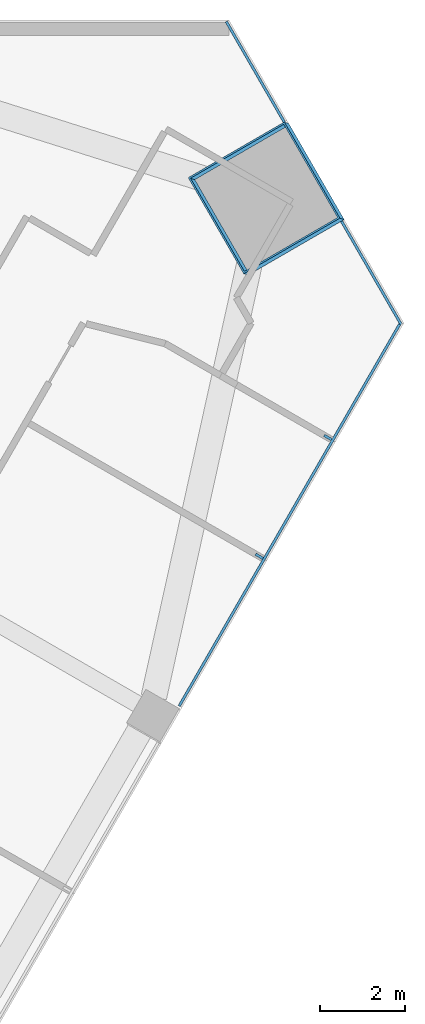
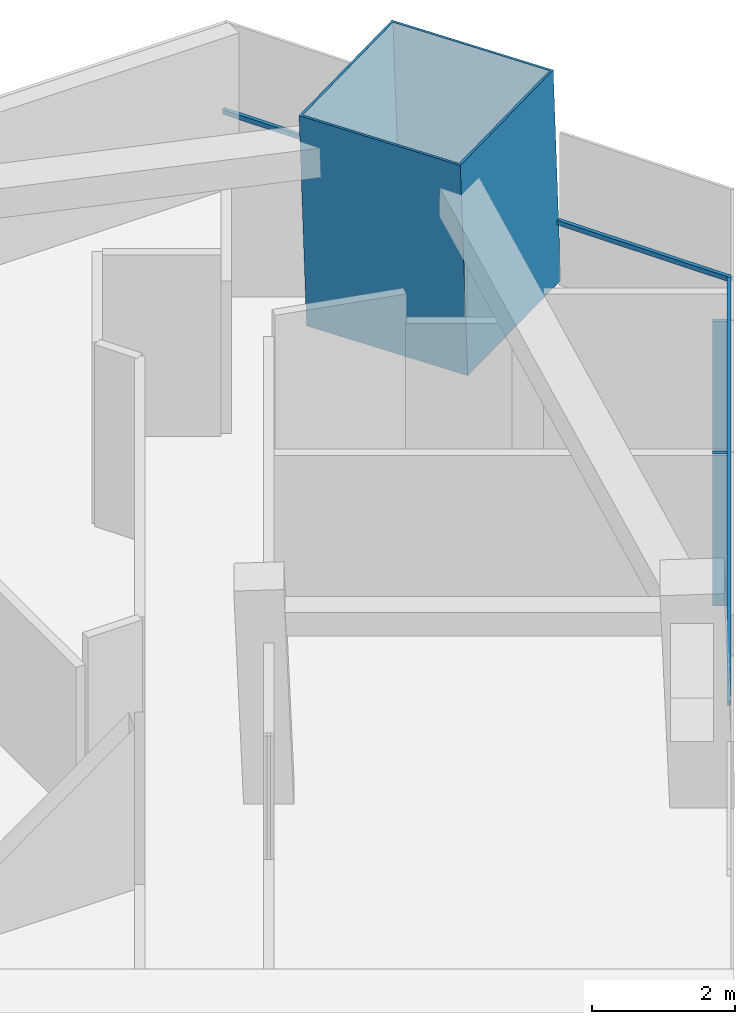
# One storey, part 7 of 14: 6 members, 2 elements without a shape of their own.
"""IFC4 building model written with IfcOpenShell, lengths in metres."""

from ifc_helpers import new_model, si_unit, direction, frame, origin, origin_2d, place, context, subcontext, project, spatial, rectangle, hollow_rectangle, extrude, material, layer, layer_set, material_profile, profile_set, type_object, element, aggregate, save


model = new_model("IFC4")

# Units and contexts
model_context = context("Model", 3, precision=1e-05, world=origin(), true_north=direction((0.0, 1.0)))
body_context = subcontext(model_context, "Body", "Model", "MODEL_VIEW")
ifc_project = project(units=[si_unit("LENGTHUNIT", "METRE"), si_unit("AREAUNIT", "SQUARE_METRE"), si_unit("VOLUMEUNIT", "CUBIC_METRE"), si_unit("PLANEANGLEUNIT", "RADIAN"), si_unit("MASSUNIT", "GRAM", prefix="KILO")], contexts=[model_context])

# Site, building, storey
site_placement = place(None, origin())
site = spatial("IfcSite", under=ifc_project, at=site_placement, CompositionType="ELEMENT")
building_placement = place(site_placement, origin())
building = spatial("IfcBuilding", under=site, at=building_placement, Name="Altiplano Prism Tower", CompositionType="ELEMENT")
storey_placement = place(building_placement, frame((0.0, 0.0, 111.60009765625)))
storey = spatial("IfcBuildingStorey", under=building, at=storey_placement, Name="L28", CompositionType="ELEMENT", Elevation=111.60009765625)

# Curtain wall, members
ifc_material_1 = material(Name="Aluminium and glass", Category="aluminium")
ifc_layer = layer(ifc_material_1, 0.303955078125)
ifc_layer_set = layer_set([ifc_layer], Name="Aluminium and glass")
curtain_wall_type = type_object("IfcCurtainWallType", Name="CW2 lounge-band unitised glazing", PredefinedType="NOTDEFINED", material=ifc_layer_set)
curtain_wall_1_placement = place(storey_placement, origin())
curtain_wall_1 = element("IfcCurtainWall", 1, at=curtain_wall_1_placement, inside=storey, type_object=curtain_wall_type, Name="CW2 curtain wall south-east face L28", PredefinedType="NOTDEFINED")
ifc_material_2 = material(Name="Aluminium", Category="aluminium")
ifc_material_profile_1 = material_profile(ifc_material_2, rectangle(XDim=0.199951171875, YDim=0.06005859375, at=origin_2d()), Name="CW2 mullion 60 x 200")
ifc_profile_set_1 = profile_set([ifc_material_profile_1], Name="Aluminium")
member_type_1 = type_object("IfcMemberType", Name="CW2 mullion 60 x 200", PredefinedType="MULLION", material=ifc_profile_set_1)
member_1_placement = place(storey_placement, frame((110.130126953125, 92.4462890625, 0.0), z_axis=(0.0, 0.0, 1.0), x_axis=(-0.866025408698, 0.49999999149, 0.0)))
member_1 = element("IfcMember", 2, at=member_1_placement, type_object=member_type_1, Name="CW2 mullion", PredefinedType="MULLION", context=body_context, shape_type="SweptSolid", body=[
    extrude(rectangle(XDim=0.199951171875, YDim=0.06005859375, at=origin_2d()), origin(), (0.0, 0.0, 1.0), 2.599853515625),
])
member_2_placement = place(storey_placement, frame((111.735595703125, 95.227294921875, 0.0), z_axis=(0.0, 0.0, 1.0), x_axis=(-0.866025408698, 0.49999999149, 0.0)))
member_2 = element("IfcMember", 3, at=member_2_placement, type_object=member_type_1, Name="CW2 mullion", PredefinedType="MULLION", context=body_context, shape_type="SweptSolid", body=[
    extrude(rectangle(XDim=0.199951171875, YDim=0.06005859375, at=origin_2d()), origin(), (0.0, 0.0, 1.0), 2.599853515625),
])
ifc_material_profile_2 = material_profile(ifc_material_2, rectangle(XDim=0.06005859375, YDim=0.080078125, at=origin_2d()), Name="CW2 transom 80 x 60")
ifc_profile_set_2 = profile_set([ifc_material_profile_2], Name="Aluminium")
member_type_2 = type_object("IfcMemberType", Name="CW2 transom 80 x 60", PredefinedType="USERDEFINED", material=ifc_profile_set_2)
member_3_placement = place(storey_placement, frame((108.25732421875, 88.942626953125, 1.099853515625), z_axis=(0.50000713497, 0.866021284369, 0.0), x_axis=(-0.866021284369, 0.50000713497, 0.0)))
member_3 = element("IfcMember", 4, at=member_3_placement, type_object=member_type_2, Name="CW2 transom", ObjectType="TRANSOM", PredefinedType="USERDEFINED", context=body_context, shape_type="SweptSolid", body=[
    extrude(rectangle(XDim=0.06005859375, YDim=0.080078125, at=origin_2d()), origin(), (0.0, 0.0, 1.0), 10.392822265625),
])
aggregate(curtain_wall_1, [member_1, member_2, member_3])

curtain_wall_2_placement = place(storey_placement, origin())
curtain_wall_2 = element("IfcCurtainWall", 5, at=curtain_wall_2_placement, inside=storey, type_object=curtain_wall_type, Name="CW2 curtain wall north-east chamfer L28", PredefinedType="NOTDEFINED")
member_4_placement = place(storey_placement, frame((113.453857421875, 97.869140625, 1.099853515625), z_axis=(-0.499961839574, 0.866047434595, 0.0), x_axis=(-0.866047434595, -0.499961839574, 0.0)))
member_4 = element("IfcMember", 6, at=member_4_placement, type_object=member_type_2, Name="CW2 transom", ObjectType="TRANSOM", PredefinedType="USERDEFINED", context=body_context, shape_type="SweptSolid", body=[
    extrude(rectangle(XDim=0.06005859375, YDim=0.080078125, at=origin_2d()), origin(), (0.0, 0.0, 1.0), 2.795654296875),
])
member_5_placement = place(storey_placement, frame((110.716064453125, 102.611083984375, 1.099853515625), z_axis=(-0.500025948863, 0.866010421683, 0.0), x_axis=(-0.866010421683, -0.500025948863, 0.0)))
member_5 = element("IfcMember", 7, at=member_5_placement, type_object=member_type_2, Name="CW2 transom", ObjectType="TRANSOM", PredefinedType="USERDEFINED", context=body_context, shape_type="SweptSolid", body=[
    extrude(rectangle(XDim=0.06005859375, YDim=0.080078125, at=origin_2d()), origin(), (0.0, 0.0, 1.0), 2.715576171875),
])
aggregate(curtain_wall_2, [member_4, member_5])

# Member
ifc_material_3 = material(Name="Steel S460", Category="steel")
ifc_material_profile_3 = material_profile(ifc_material_3, hollow_rectangle(XDim=2.60009765625, YDim=2.60009765625, WallThickness=0.0400390625, at=origin_2d()), Name="Mega column tube 2600")
ifc_profile_set_3 = profile_set([ifc_material_profile_3], Name="Steel S460")
member_type_3 = type_object("IfcMemberType", Name="Mega column tube 2600", PredefinedType="POST", material=ifc_profile_set_3)
member_6_placement = place(storey_placement, frame((110.34423828125, 100.80322265625, 0.0), z_axis=(-0.028336004223, 0.009219369795, 0.999555938447), x_axis=(0.500148463849, -0.865656006757, 0.022162853497)))
element("IfcMember", 8, at=member_6_placement, inside=storey, type_object=member_type_3, Name="Mega column tube M2 L28", PredefinedType="POST", context=body_context, shape_type="SweptSolid", body=[
    extrude(hollow_rectangle(XDim=2.60009765625, YDim=2.60009765625, WallThickness=0.0400390625, at=origin_2d()), origin(), (0.0, 0.0, 1.0), 3.6015625),
])

save(model, "model.ifc")
